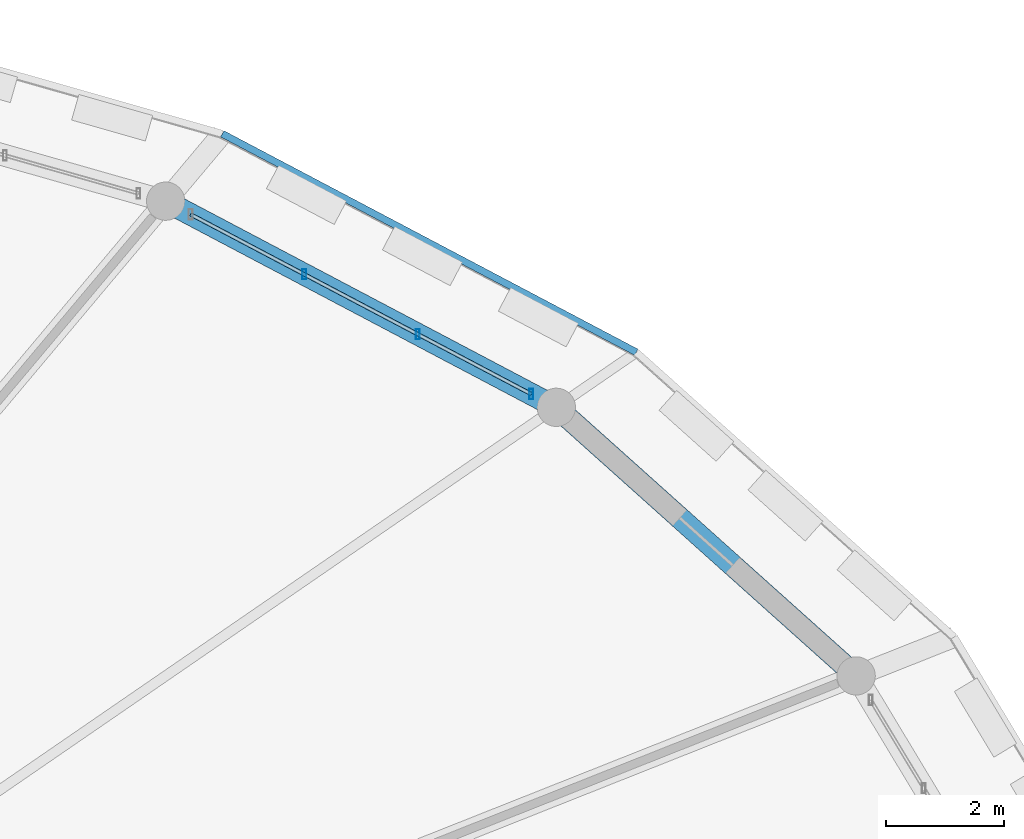
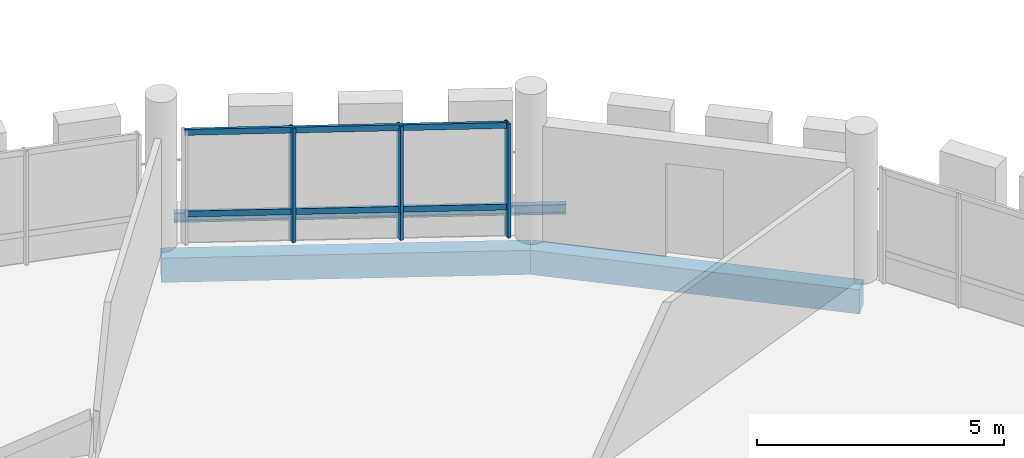
# One storey, part 53 of 84: 5 members, 3 beams, 1 element without a shape of its own.
"""IFC4 building model written with IfcOpenShell, lengths in metres."""

from ifc_helpers import new_model, si_unit, direction, frame, origin, origin_2d, place, context, subcontext, project, spatial, rectangle, hollow_rectangle, i_section, extrude, material, material_profile, profile_set, type_object, element, aggregate, save


model = new_model("IFC4")

# Units and contexts
model_context = context("Model", 3, precision=1e-05, world=origin(), true_north=direction((0.0, 1.0)))
body_context = subcontext(model_context, "Body", "Model", "MODEL_VIEW")
ifc_project = project(units=[si_unit("LENGTHUNIT", "METRE"), si_unit("AREAUNIT", "SQUARE_METRE"), si_unit("VOLUMEUNIT", "CUBIC_METRE"), si_unit("PLANEANGLEUNIT", "RADIAN"), si_unit("MASSUNIT", "GRAM", prefix="KILO")], contexts=[model_context])

# Site, building, storey
site_placement = place(None, origin())
site = spatial("IfcSite", under=ifc_project, at=site_placement, CompositionType="ELEMENT")
building_placement = place(site_placement, origin())
building = spatial("IfcBuilding", under=site, at=building_placement, Name="Zornivar Specialist Clinic", CompositionType="ELEMENT")
storey_placement = place(building_placement, frame((0.0, 0.0, 12.300048828125)))
storey = spatial("IfcBuildingStorey", under=building, at=storey_placement, Name="L03", CompositionType="ELEMENT", Elevation=12.300048828125)

# Beams
ifc_material_1 = material(Name="Concrete C30/37", Category="concrete")
ifc_material_profile_1 = material_profile(ifc_material_1, rectangle(XDim=0.3701171875, YDim=0.60009765625, at=origin_2d()), Name="RC 370x600")
ifc_profile_set_1 = profile_set([ifc_material_profile_1], Name="Concrete C30/37")
beam_type_1 = type_object("IfcBeamType", Name="BM-RC-SPANDREL-370x600", PredefinedType="SPANDREL", material=ifc_profile_set_1)
beam_1_placement = place(storey_placement, frame((121.31298828125, 68.60009765625, -0.5400390625), z_axis=(-0.744853105459, 0.66722848507, 0.0), x_axis=(-0.66722848507, -0.744853105459, 0.0)))
element("IfcBeam", 1, at=beam_1_placement, inside=storey, type_object=beam_type_1, Name="bm:V1:L03:outring:02", PredefinedType="SPANDREL", context=body_context, shape_type="SweptSolid", body=[
    extrude(rectangle(XDim=0.3701171875, YDim=0.60009765625, at=origin_2d()), origin(), (0.0, 0.0, 1.0), 6.828125),
])
beam_2_placement = place(storey_placement, frame((116.22705078125, 73.156005859375, -0.5400390625), z_axis=(-0.884411650878, 0.466707651311, 0.0), x_axis=(-0.466707651311, -0.884411650878, 0.0)))
element("IfcBeam", 2, at=beam_2_placement, inside=storey, type_object=beam_type_1, Name="bm:V1:L03:outring:03", PredefinedType="SPANDREL", context=body_context, shape_type="SweptSolid", body=[
    extrude(rectangle(XDim=0.3701171875, YDim=0.60009765625, at=origin_2d()), origin(), (0.0, 0.0, 1.0), 7.4931640625),
])
ifc_material_2 = material(Name="Steel S355J2", Category="steel")
ifc_material_profile_2 = material_profile(ifc_material_2, i_section(OverallWidth=0.1201171875, OverallDepth=0.239990234375, WebThickness=0.006103515625, FlangeThickness=0.009765625, FilletRadius=0.014892578125, at=origin_2d()), Name="IPE 240")
ifc_profile_set_2 = profile_set([ifc_material_profile_2], Name="Steel S355J2")
beam_type_2 = type_object("IfcBeamType", Name="BM-STL-IPE240", PredefinedType="JOIST", material=ifc_profile_set_2)
beam_3_placement = place(storey_placement, frame((117.5849609375, 74.090087890625, -0.360107421875), z_axis=(-0.884477081674, 0.466583638797, 0.0), x_axis=(-0.466583638797, -0.884477081674, 0.0)))
element("IfcBeam", 3, at=beam_3_placement, inside=storey, type_object=beam_type_2, Name="bm:V1:L03:balring:03", PredefinedType="JOIST", context=body_context, shape_type="SweptSolid", body=[
    extrude(i_section(OverallWidth=0.1201171875, OverallDepth=0.239990234375, WebThickness=0.006103515625, FlangeThickness=0.009765625, FilletRadius=0.014892578125, at=origin_2d()), origin(), (0.0, 0.0, 1.0), 7.9423828125),
])

# Curtain wall, members
ifc_material_3 = material(Name="Aluminium and Low-E Glass Curtain Wall", Category="aluminium")
curtain_wall_type = type_object("IfcCurtainWallType", Name="CW-DRUM-FACET", PredefinedType="NOTDEFINED", material=ifc_material_3)
curtain_wall_placement = place(storey_placement, origin())
curtain_wall = element("IfcCurtainWall", 4, at=curtain_wall_placement, inside=storey, type_object=curtain_wall_type, Name="cw:V1:L03:c03", PredefinedType="NOTDEFINED")
ifc_material_4 = material(Name="Aluminium AW-6060", Category="aluminium")
ifc_material_profile_3 = material_profile(ifc_material_4, hollow_rectangle(XDim=0.06494140625, YDim=0.175048828125, WallThickness=0.00439453125, at=origin_2d()), Name="ALU 65x175x4.5")
ifc_profile_set_3 = profile_set([ifc_material_profile_3], Name="Aluminium AW-6060")
member_type_1 = type_object("IfcMemberType", Name="CWM-MUL-175", PredefinedType="MULLION", material=ifc_profile_set_3)
member_1_placement = place(storey_placement, frame((115.802978515625, 73.3798828125, 0.0), z_axis=(0.0, 0.0, 1.0), x_axis=(1.0, 0.0, 0.0)))
member_1 = element("IfcMember", 5, at=member_1_placement, type_object=member_type_1, Name="cw:V1:L03:c03:mul:0", PredefinedType="MULLION", context=body_context, shape_type="SweptSolid", body=[
    extrude(hollow_rectangle(XDim=0.06494140625, YDim=0.175048828125, WallThickness=0.00439453125, at=origin_2d()), origin(), (0.0, 0.0, 1.0), 2.81005859375),
])
member_2_placement = place(storey_placement, frame((113.8759765625, 74.39599609375, 0.0), z_axis=(0.0, 0.0, 1.0), x_axis=(1.0, 0.0, 0.0)))
member_2 = element("IfcMember", 6, at=member_2_placement, type_object=member_type_1, Name="cw:V1:L03:c03:mul:1", PredefinedType="MULLION", context=body_context, shape_type="SweptSolid", body=[
    extrude(hollow_rectangle(XDim=0.06494140625, YDim=0.175048828125, WallThickness=0.00439453125, at=origin_2d()), origin(), (0.0, 0.0, 1.0), 2.81005859375),
])
member_3_placement = place(storey_placement, frame((111.949951171875, 75.4130859375, 0.0), z_axis=(0.0, 0.0, 1.0), x_axis=(1.0, 0.0, 0.0)))
member_3 = element("IfcMember", 7, at=member_3_placement, type_object=member_type_1, Name="cw:V1:L03:c03:mul:2", PredefinedType="MULLION", context=body_context, shape_type="SweptSolid", body=[
    extrude(hollow_rectangle(XDim=0.06494140625, YDim=0.175048828125, WallThickness=0.00439453125, at=origin_2d()), origin(), (0.0, 0.0, 1.0), 2.81005859375),
])
ifc_material_5 = material(Name="Aluminium AW-6060", Category="aluminium")
ifc_material_profile_4 = material_profile(ifc_material_5, hollow_rectangle(XDim=0.06005859375, YDim=0.14501953125, WallThickness=0.00390625, at=origin_2d()), Name="ALU 60x145x4")
ifc_profile_set_4 = profile_set([ifc_material_profile_4], Name="Aluminium AW-6060")
member_type_2 = type_object("IfcMemberType", Name="CWM-TRN-145", PredefinedType="USERDEFINED", material=ifc_profile_set_4)
member_4_placement = place(storey_placement, frame((115.802978515625, 73.3798828125, 0.73095703125), z_axis=(-0.884446868274, 0.466640908195, 0.0), x_axis=(-0.466640908195, -0.884446868274, 0.0)))
member_4 = element("IfcMember", 8, at=member_4_placement, type_object=member_type_2, Name="cw:V1:L03:c03:trn:0", ObjectType="TRANSOM", PredefinedType="USERDEFINED", context=body_context, shape_type="SweptSolid", body=[
    extrude(hollow_rectangle(XDim=0.06005859375, YDim=0.14501953125, WallThickness=0.00390625, at=origin_2d()), origin(), (0.0, 0.0, 1.0), 6.5341796875),
])
member_5_placement = place(storey_placement, frame((115.802978515625, 73.3798828125, 2.744873046875), z_axis=(-0.884446868274, 0.466640908195, 0.0), x_axis=(-0.466640908195, -0.884446868274, 0.0)))
member_5 = element("IfcMember", 9, at=member_5_placement, type_object=member_type_2, Name="cw:V1:L03:c03:trn:1", ObjectType="TRANSOM", PredefinedType="USERDEFINED", context=body_context, shape_type="SweptSolid", body=[
    extrude(hollow_rectangle(XDim=0.06005859375, YDim=0.14501953125, WallThickness=0.00390625, at=origin_2d()), origin(), (0.0, 0.0, 1.0), 6.5341796875),
])
aggregate(curtain_wall, [member_1, member_2, member_3, member_4, member_5])

save(model, "model.ifc")
